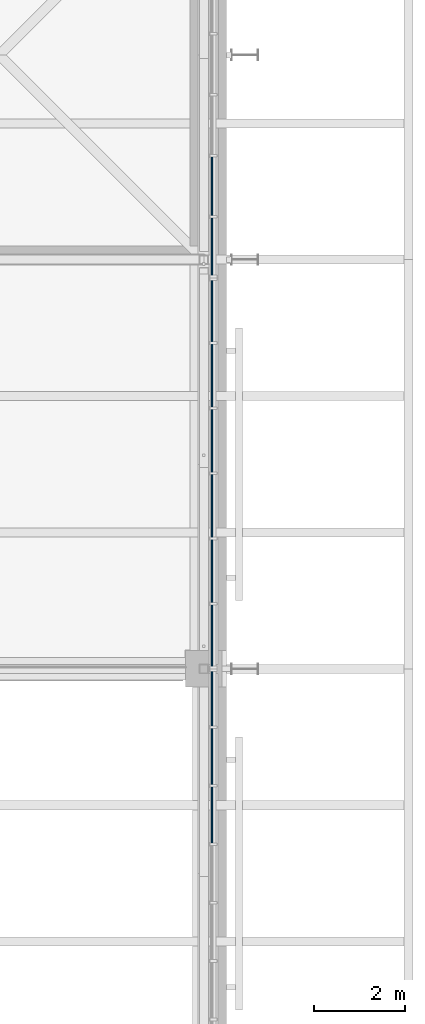
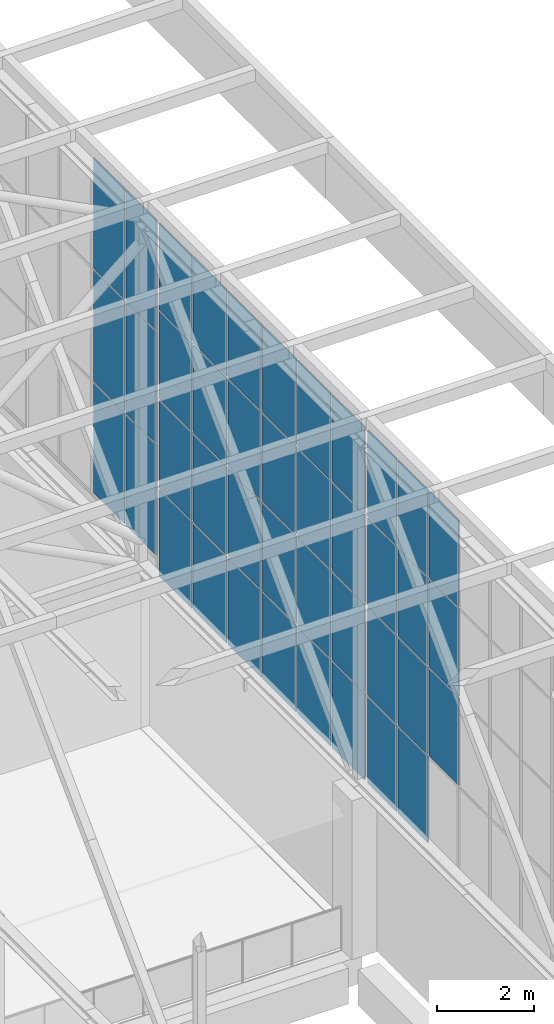
# One storey, part 158 of 646: 41 plates, 3 elements without a shape of their own.
"""IFC4 building model written with IfcOpenShell, lengths in metres."""

from ifc_helpers import new_model, si_unit, direction, frame, origin, origin_2d, place, context, subcontext, project, spatial, rectangle, extrude, material, layer, layer_set, type_object, element, aggregate, save


model = new_model("IFC4")

# Units and contexts
model_context = context("Model", 3, precision=1e-05, world=origin(), true_north=direction((0.0, 1.0)))
body_context = subcontext(model_context, "Body", "Model", "MODEL_VIEW")
ifc_project = project(units=[si_unit("LENGTHUNIT", "METRE"), si_unit("AREAUNIT", "SQUARE_METRE"), si_unit("VOLUMEUNIT", "CUBIC_METRE"), si_unit("PLANEANGLEUNIT", "RADIAN"), si_unit("MASSUNIT", "GRAM", prefix="KILO")], contexts=[model_context])

# Site, building, storey
site_placement = place(None, origin())
site = spatial("IfcSite", under=ifc_project, at=site_placement, CompositionType="ELEMENT")
building_placement = place(site_placement, origin())
building = spatial("IfcBuilding", under=site, at=building_placement, Name="Silverbay Arena", CompositionType="ELEMENT")
storey_placement = place(building_placement, frame((0.0, 0.0, 33.5)))
storey = spatial("IfcBuildingStorey", under=building, at=storey_placement, Name="L05", CompositionType="ELEMENT", Elevation=33.5)

# Curtain wall, plates
ifc_material_1 = material(Name="Aluminium framed glazing", Category="aluminium")
curtain_wall_type_1 = type_object("IfcCurtainWallType", Name="Curtain wall clerestory 9000 x 9000", PredefinedType="NOTDEFINED", material=ifc_material_1)
curtain_wall_1_placement = place(storey_placement, origin())
curtain_wall_1 = element("IfcCurtainWall", 1, at=curtain_wall_1_placement, inside=storey, type_object=curtain_wall_type_1, Name="ROOF GABLE CLERESTORY CURTAIN WALL east bay 13", PredefinedType="NOTDEFINED")
ifc_material_2 = material(Name="Laminated glass", Category="glass")
ifc_layer = layer(ifc_material_2, 0.028076171875)
ifc_layer_set = layer_set([ifc_layer], Name="Laminated glass")
plate_type = type_object("IfcPlateType", Name="Glass panel 28", PredefinedType="CURTAIN_PANEL", material=ifc_layer_set)
plate_1_placement = place(storey_placement, frame((207.179931640625, 122.78564453125, 6.27490234375), z_axis=(0.0, 0.0, 1.0), x_axis=(0.0, 1.0, 0.0)))
plate_1 = element("IfcPlate", 2, at=plate_1_placement, type_object=plate_type, Name="CW60 panel 5.2", PredefinedType="CURTAIN_PANEL", context=body_context, shape_type="SweptSolid", body=[
    extrude(rectangle(XDim=1.225830078125, YDim=0.028076171875, at=origin_2d()), origin(), (0.0, 0.0, 1.0), 2.199951171875),
])
plate_2_placement = place(storey_placement, frame((207.179931640625, 122.78564453125, 8.52490234375), z_axis=(0.0, 0.0, 1.0), x_axis=(0.0, 1.0, 0.0)))
plate_2 = element("IfcPlate", 3, at=plate_2_placement, type_object=plate_type, Name="CW60 panel 5.3", PredefinedType="CURTAIN_PANEL", context=body_context, shape_type="SweptSolid", body=[
    extrude(rectangle(XDim=1.225830078125, YDim=0.028076171875, at=origin_2d()), origin(), (0.0, 0.0, 1.0), 2.199951171875),
])
plate_3_placement = place(storey_placement, frame((207.179931640625, 122.78564453125, 10.77490234375), z_axis=(0.0, 0.0, 1.0), x_axis=(0.0, 1.0, 0.0)))
plate_3 = element("IfcPlate", 4, at=plate_3_placement, type_object=plate_type, Name="CW60 panel 5.4", PredefinedType="CURTAIN_PANEL", context=body_context, shape_type="SweptSolid", body=[
    extrude(rectangle(XDim=1.225830078125, YDim=0.028076171875, at=origin_2d()), origin(), (0.0, 0.0, 1.0), 2.175048828125),
])
plate_4_placement = place(storey_placement, frame((207.179931640625, 124.071533203125, 4.0498046875), z_axis=(0.0, 0.0, 1.0), x_axis=(0.0, 1.0, 0.0)))
plate_4 = element("IfcPlate", 5, at=plate_4_placement, type_object=plate_type, Name="CW60 panel 6.1", PredefinedType="CURTAIN_PANEL", context=body_context, shape_type="SweptSolid", body=[
    extrude(rectangle(XDim=1.225830078125, YDim=0.028076171875, at=origin_2d()), origin(), (0.0, 0.0, 1.0), 2.175048828125),
])
plate_5_placement = place(storey_placement, frame((207.179931640625, 124.071533203125, 6.27490234375), z_axis=(0.0, 0.0, 1.0), x_axis=(0.0, 1.0, 0.0)))
plate_5 = element("IfcPlate", 6, at=plate_5_placement, type_object=plate_type, Name="CW60 panel 6.2", PredefinedType="CURTAIN_PANEL", context=body_context, shape_type="SweptSolid", body=[
    extrude(rectangle(XDim=1.225830078125, YDim=0.028076171875, at=origin_2d()), origin(), (0.0, 0.0, 1.0), 2.199951171875),
])
plate_6_placement = place(storey_placement, frame((207.179931640625, 124.071533203125, 8.52490234375), z_axis=(0.0, 0.0, 1.0), x_axis=(0.0, 1.0, 0.0)))
plate_6 = element("IfcPlate", 7, at=plate_6_placement, type_object=plate_type, Name="CW60 panel 6.3", PredefinedType="CURTAIN_PANEL", context=body_context, shape_type="SweptSolid", body=[
    extrude(rectangle(XDim=1.225830078125, YDim=0.028076171875, at=origin_2d()), origin(), (0.0, 0.0, 1.0), 2.199951171875),
])
plate_7_placement = place(storey_placement, frame((207.179931640625, 124.071533203125, 10.77490234375), z_axis=(0.0, 0.0, 1.0), x_axis=(0.0, 1.0, 0.0)))
plate_7 = element("IfcPlate", 8, at=plate_7_placement, type_object=plate_type, Name="CW60 panel 6.4", PredefinedType="CURTAIN_PANEL", context=body_context, shape_type="SweptSolid", body=[
    extrude(rectangle(XDim=1.225830078125, YDim=0.028076171875, at=origin_2d()), origin(), (0.0, 0.0, 1.0), 2.175048828125),
])
plate_8_placement = place(storey_placement, frame((207.179931640625, 125.342041015625, 4.0498046875), z_axis=(0.0, 0.0, 1.0), x_axis=(0.0, 1.0, 0.0)))
plate_8 = element("IfcPlate", 9, at=plate_8_placement, type_object=plate_type, Name="CW60 panel 7.1", PredefinedType="CURTAIN_PANEL", context=body_context, shape_type="SweptSolid", body=[
    extrude(rectangle(XDim=1.19580078125, YDim=0.028076171875, at=origin_2d()), origin(), (0.0, 0.0, 1.0), 2.175048828125),
])
plate_9_placement = place(storey_placement, frame((207.179931640625, 125.342041015625, 6.27490234375), z_axis=(0.0, 0.0, 1.0), x_axis=(0.0, 1.0, 0.0)))
plate_9 = element("IfcPlate", 10, at=plate_9_placement, type_object=plate_type, Name="CW60 panel 7.2", PredefinedType="CURTAIN_PANEL", context=body_context, shape_type="SweptSolid", body=[
    extrude(rectangle(XDim=1.19580078125, YDim=0.028076171875, at=origin_2d()), origin(), (0.0, 0.0, 1.0), 2.199951171875),
])
plate_10_placement = place(storey_placement, frame((207.179931640625, 125.342041015625, 8.52490234375), z_axis=(0.0, 0.0, 1.0), x_axis=(0.0, 1.0, 0.0)))
plate_10 = element("IfcPlate", 11, at=plate_10_placement, type_object=plate_type, Name="CW60 panel 7.3", PredefinedType="CURTAIN_PANEL", context=body_context, shape_type="SweptSolid", body=[
    extrude(rectangle(XDim=1.19580078125, YDim=0.028076171875, at=origin_2d()), origin(), (0.0, 0.0, 1.0), 2.199951171875),
])
plate_11_placement = place(storey_placement, frame((207.179931640625, 125.342041015625, 10.77490234375), z_axis=(0.0, 0.0, 1.0), x_axis=(0.0, 1.0, 0.0)))
plate_11 = element("IfcPlate", 12, at=plate_11_placement, type_object=plate_type, Name="CW60 panel 7.4", PredefinedType="CURTAIN_PANEL", context=body_context, shape_type="SweptSolid", body=[
    extrude(rectangle(XDim=1.19580078125, YDim=0.028076171875, at=origin_2d()), origin(), (0.0, 0.0, 1.0), 2.175048828125),
])
aggregate(curtain_wall_1, [plate_1, plate_2, plate_3, plate_4, plate_5, plate_6, plate_7, plate_8, plate_9, plate_10, plate_11])

ifc_material_3 = material(Name="Aluminium framed glazing", Category="aluminium")
curtain_wall_type_2 = type_object("IfcCurtainWallType", Name="Curtain wall clerestory 8600 x 9000", PredefinedType="NOTDEFINED", material=ifc_material_3)
curtain_wall_2_placement = place(storey_placement, origin())
curtain_wall_2 = element("IfcCurtainWall", 13, at=curtain_wall_2_placement, inside=storey, type_object=curtain_wall_type_2, Name="ROOF GABLE CLERESTORY CURTAIN WALL east bay 14", PredefinedType="NOTDEFINED")
plate_12_placement = place(storey_placement, frame((207.179931640625, 126.731689453125, 4.0498046875), z_axis=(0.0, 0.0, 1.0), x_axis=(0.0, 1.0, 0.0)))
plate_12 = element("IfcPlate", 14, at=plate_12_placement, type_object=plate_type, Name="CW59 panel 1.1", PredefinedType="CURTAIN_PANEL", context=body_context, shape_type="SweptSolid", body=[
    extrude(rectangle(XDim=1.34326171875, YDim=0.028076171875, at=origin_2d()), origin(), (0.0, 0.0, 1.0), 2.175048828125),
])
plate_13_placement = place(storey_placement, frame((207.179931640625, 126.731689453125, 6.27490234375), z_axis=(0.0, 0.0, 1.0), x_axis=(0.0, 1.0, 0.0)))
plate_13 = element("IfcPlate", 15, at=plate_13_placement, type_object=plate_type, Name="CW59 panel 1.2", PredefinedType="CURTAIN_PANEL", context=body_context, shape_type="SweptSolid", body=[
    extrude(rectangle(XDim=1.34326171875, YDim=0.028076171875, at=origin_2d()), origin(), (0.0, 0.0, 1.0), 2.199951171875),
])
plate_14_placement = place(storey_placement, frame((207.179931640625, 126.731689453125, 8.52490234375), z_axis=(0.0, 0.0, 1.0), x_axis=(0.0, 1.0, 0.0)))
plate_14 = element("IfcPlate", 16, at=plate_14_placement, type_object=plate_type, Name="CW59 panel 1.3", PredefinedType="CURTAIN_PANEL", context=body_context, shape_type="SweptSolid", body=[
    extrude(rectangle(XDim=1.34326171875, YDim=0.028076171875, at=origin_2d()), origin(), (0.0, 0.0, 1.0), 2.199951171875),
])
plate_15_placement = place(storey_placement, frame((207.179931640625, 126.731689453125, 10.77490234375), z_axis=(0.0, 0.0, 1.0), x_axis=(0.0, 1.0, 0.0)))
plate_15 = element("IfcPlate", 17, at=plate_15_placement, type_object=plate_type, Name="CW59 panel 1.4", PredefinedType="CURTAIN_PANEL", context=body_context, shape_type="SweptSolid", body=[
    extrude(rectangle(XDim=1.34326171875, YDim=0.028076171875, at=origin_2d()), origin(), (0.0, 0.0, 1.0), 2.175048828125),
])
plate_16_placement = place(storey_placement, frame((207.179931640625, 128.14990234375, 4.0498046875), z_axis=(0.0, 0.0, 1.0), x_axis=(0.0, 1.0, 0.0)))
plate_16 = element("IfcPlate", 18, at=plate_16_placement, type_object=plate_type, Name="CW59 panel 2.1", PredefinedType="CURTAIN_PANEL", context=body_context, shape_type="SweptSolid", body=[
    extrude(rectangle(XDim=1.373291015625, YDim=0.028076171875, at=origin_2d()), origin(), (0.0, 0.0, 1.0), 2.175048828125),
])
plate_17_placement = place(storey_placement, frame((207.179931640625, 128.14990234375, 6.27490234375), z_axis=(0.0, 0.0, 1.0), x_axis=(0.0, 1.0, 0.0)))
plate_17 = element("IfcPlate", 19, at=plate_17_placement, type_object=plate_type, Name="CW59 panel 2.2", PredefinedType="CURTAIN_PANEL", context=body_context, shape_type="SweptSolid", body=[
    extrude(rectangle(XDim=1.373291015625, YDim=0.028076171875, at=origin_2d()), origin(), (0.0, 0.0, 1.0), 2.199951171875),
])
plate_18_placement = place(storey_placement, frame((207.179931640625, 128.14990234375, 8.52490234375), z_axis=(0.0, 0.0, 1.0), x_axis=(0.0, 1.0, 0.0)))
plate_18 = element("IfcPlate", 20, at=plate_18_placement, type_object=plate_type, Name="CW59 panel 2.3", PredefinedType="CURTAIN_PANEL", context=body_context, shape_type="SweptSolid", body=[
    extrude(rectangle(XDim=1.373291015625, YDim=0.028076171875, at=origin_2d()), origin(), (0.0, 0.0, 1.0), 2.199951171875),
])
plate_19_placement = place(storey_placement, frame((207.179931640625, 128.14990234375, 10.77490234375), z_axis=(0.0, 0.0, 1.0), x_axis=(0.0, 1.0, 0.0)))
plate_19 = element("IfcPlate", 21, at=plate_19_placement, type_object=plate_type, Name="CW59 panel 2.4", PredefinedType="CURTAIN_PANEL", context=body_context, shape_type="SweptSolid", body=[
    extrude(rectangle(XDim=1.373291015625, YDim=0.028076171875, at=origin_2d()), origin(), (0.0, 0.0, 1.0), 2.175048828125),
])
plate_20_placement = place(storey_placement, frame((207.179931640625, 129.583251953125, 4.0498046875), z_axis=(0.0, 0.0, 1.0), x_axis=(0.0, 1.0, 0.0)))
plate_20 = element("IfcPlate", 22, at=plate_20_placement, type_object=plate_type, Name="CW59 panel 3.1", PredefinedType="CURTAIN_PANEL", context=body_context, shape_type="SweptSolid", body=[
    extrude(rectangle(XDim=1.373291015625, YDim=0.028076171875, at=origin_2d()), origin(), (0.0, 0.0, 1.0), 2.175048828125),
])
plate_21_placement = place(storey_placement, frame((207.179931640625, 129.583251953125, 6.27490234375), z_axis=(0.0, 0.0, 1.0), x_axis=(0.0, 1.0, 0.0)))
plate_21 = element("IfcPlate", 23, at=plate_21_placement, type_object=plate_type, Name="CW59 panel 3.2", PredefinedType="CURTAIN_PANEL", context=body_context, shape_type="SweptSolid", body=[
    extrude(rectangle(XDim=1.373291015625, YDim=0.028076171875, at=origin_2d()), origin(), (0.0, 0.0, 1.0), 2.199951171875),
])
plate_22_placement = place(storey_placement, frame((207.179931640625, 129.583251953125, 8.52490234375), z_axis=(0.0, 0.0, 1.0), x_axis=(0.0, 1.0, 0.0)))
plate_22 = element("IfcPlate", 24, at=plate_22_placement, type_object=plate_type, Name="CW59 panel 3.3", PredefinedType="CURTAIN_PANEL", context=body_context, shape_type="SweptSolid", body=[
    extrude(rectangle(XDim=1.373291015625, YDim=0.028076171875, at=origin_2d()), origin(), (0.0, 0.0, 1.0), 2.199951171875),
])
plate_23_placement = place(storey_placement, frame((207.179931640625, 129.583251953125, 10.77490234375), z_axis=(0.0, 0.0, 1.0), x_axis=(0.0, 1.0, 0.0)))
plate_23 = element("IfcPlate", 25, at=plate_23_placement, type_object=plate_type, Name="CW59 panel 3.4", PredefinedType="CURTAIN_PANEL", context=body_context, shape_type="SweptSolid", body=[
    extrude(rectangle(XDim=1.373291015625, YDim=0.028076171875, at=origin_2d()), origin(), (0.0, 0.0, 1.0), 2.175048828125),
])
plate_24_placement = place(storey_placement, frame((207.179931640625, 131.0166015625, 4.0498046875), z_axis=(0.0, 0.0, 1.0), x_axis=(0.0, 1.0, 0.0)))
plate_24 = element("IfcPlate", 26, at=plate_24_placement, type_object=plate_type, Name="CW59 panel 4.1", PredefinedType="CURTAIN_PANEL", context=body_context, shape_type="SweptSolid", body=[
    extrude(rectangle(XDim=1.373291015625, YDim=0.028076171875, at=origin_2d()), origin(), (0.0, 0.0, 1.0), 2.175048828125),
])
plate_25_placement = place(storey_placement, frame((207.179931640625, 131.0166015625, 6.27490234375), z_axis=(0.0, 0.0, 1.0), x_axis=(0.0, 1.0, 0.0)))
plate_25 = element("IfcPlate", 27, at=plate_25_placement, type_object=plate_type, Name="CW59 panel 4.2", PredefinedType="CURTAIN_PANEL", context=body_context, shape_type="SweptSolid", body=[
    extrude(rectangle(XDim=1.373291015625, YDim=0.028076171875, at=origin_2d()), origin(), (0.0, 0.0, 1.0), 2.199951171875),
])
plate_26_placement = place(storey_placement, frame((207.179931640625, 131.0166015625, 8.52490234375), z_axis=(0.0, 0.0, 1.0), x_axis=(0.0, 1.0, 0.0)))
plate_26 = element("IfcPlate", 28, at=plate_26_placement, type_object=plate_type, Name="CW59 panel 4.3", PredefinedType="CURTAIN_PANEL", context=body_context, shape_type="SweptSolid", body=[
    extrude(rectangle(XDim=1.373291015625, YDim=0.028076171875, at=origin_2d()), origin(), (0.0, 0.0, 1.0), 2.199951171875),
])
plate_27_placement = place(storey_placement, frame((207.179931640625, 131.0166015625, 10.77490234375), z_axis=(0.0, 0.0, 1.0), x_axis=(0.0, 1.0, 0.0)))
plate_27 = element("IfcPlate", 29, at=plate_27_placement, type_object=plate_type, Name="CW59 panel 4.4", PredefinedType="CURTAIN_PANEL", context=body_context, shape_type="SweptSolid", body=[
    extrude(rectangle(XDim=1.373291015625, YDim=0.028076171875, at=origin_2d()), origin(), (0.0, 0.0, 1.0), 2.175048828125),
])
plate_28_placement = place(storey_placement, frame((207.179931640625, 132.449951171875, 4.0498046875), z_axis=(0.0, 0.0, 1.0), x_axis=(0.0, 1.0, 0.0)))
plate_28 = element("IfcPlate", 30, at=plate_28_placement, type_object=plate_type, Name="CW59 panel 5.1", PredefinedType="CURTAIN_PANEL", context=body_context, shape_type="SweptSolid", body=[
    extrude(rectangle(XDim=1.373291015625, YDim=0.028076171875, at=origin_2d()), origin(), (0.0, 0.0, 1.0), 2.175048828125),
])
plate_29_placement = place(storey_placement, frame((207.179931640625, 132.449951171875, 6.27490234375), z_axis=(0.0, 0.0, 1.0), x_axis=(0.0, 1.0, 0.0)))
plate_29 = element("IfcPlate", 31, at=plate_29_placement, type_object=plate_type, Name="CW59 panel 5.2", PredefinedType="CURTAIN_PANEL", context=body_context, shape_type="SweptSolid", body=[
    extrude(rectangle(XDim=1.373291015625, YDim=0.028076171875, at=origin_2d()), origin(), (0.0, 0.0, 1.0), 2.199951171875),
])
plate_30_placement = place(storey_placement, frame((207.179931640625, 132.449951171875, 8.52490234375), z_axis=(0.0, 0.0, 1.0), x_axis=(0.0, 1.0, 0.0)))
plate_30 = element("IfcPlate", 32, at=plate_30_placement, type_object=plate_type, Name="CW59 panel 5.3", PredefinedType="CURTAIN_PANEL", context=body_context, shape_type="SweptSolid", body=[
    extrude(rectangle(XDim=1.373291015625, YDim=0.028076171875, at=origin_2d()), origin(), (0.0, 0.0, 1.0), 2.199951171875),
])
plate_31_placement = place(storey_placement, frame((207.179931640625, 132.449951171875, 10.77490234375), z_axis=(0.0, 0.0, 1.0), x_axis=(0.0, 1.0, 0.0)))
plate_31 = element("IfcPlate", 33, at=plate_31_placement, type_object=plate_type, Name="CW59 panel 5.4", PredefinedType="CURTAIN_PANEL", context=body_context, shape_type="SweptSolid", body=[
    extrude(rectangle(XDim=1.373291015625, YDim=0.028076171875, at=origin_2d()), origin(), (0.0, 0.0, 1.0), 2.175048828125),
])
plate_32_placement = place(storey_placement, frame((207.179931640625, 133.868408203125, 4.0498046875), z_axis=(0.0, 0.0, 1.0), x_axis=(0.0, 1.0, 0.0)))
plate_32 = element("IfcPlate", 34, at=plate_32_placement, type_object=plate_type, Name="CW59 panel 6.1", PredefinedType="CURTAIN_PANEL", context=body_context, shape_type="SweptSolid", body=[
    extrude(rectangle(XDim=1.34326171875, YDim=0.028076171875, at=origin_2d()), origin(), (0.0, 0.0, 1.0), 2.175048828125),
])
plate_33_placement = place(storey_placement, frame((207.179931640625, 133.868408203125, 6.27490234375), z_axis=(0.0, 0.0, 1.0), x_axis=(0.0, 1.0, 0.0)))
plate_33 = element("IfcPlate", 35, at=plate_33_placement, type_object=plate_type, Name="CW59 panel 6.2", PredefinedType="CURTAIN_PANEL", context=body_context, shape_type="SweptSolid", body=[
    extrude(rectangle(XDim=1.34326171875, YDim=0.028076171875, at=origin_2d()), origin(), (0.0, 0.0, 1.0), 2.199951171875),
])
plate_34_placement = place(storey_placement, frame((207.179931640625, 133.868408203125, 8.52490234375), z_axis=(0.0, 0.0, 1.0), x_axis=(0.0, 1.0, 0.0)))
plate_34 = element("IfcPlate", 36, at=plate_34_placement, type_object=plate_type, Name="CW59 panel 6.3", PredefinedType="CURTAIN_PANEL", context=body_context, shape_type="SweptSolid", body=[
    extrude(rectangle(XDim=1.34326171875, YDim=0.028076171875, at=origin_2d()), origin(), (0.0, 0.0, 1.0), 2.199951171875),
])
plate_35_placement = place(storey_placement, frame((207.179931640625, 133.868408203125, 10.77490234375), z_axis=(0.0, 0.0, 1.0), x_axis=(0.0, 1.0, 0.0)))
plate_35 = element("IfcPlate", 37, at=plate_35_placement, type_object=plate_type, Name="CW59 panel 6.4", PredefinedType="CURTAIN_PANEL", context=body_context, shape_type="SweptSolid", body=[
    extrude(rectangle(XDim=1.34326171875, YDim=0.028076171875, at=origin_2d()), origin(), (0.0, 0.0, 1.0), 2.175048828125),
])
aggregate(curtain_wall_2, [plate_12, plate_13, plate_14, plate_15, plate_16, plate_17, plate_18, plate_19, plate_20, plate_21, plate_22, plate_23, plate_24, plate_25, plate_26, plate_27, plate_28, plate_29, plate_30, plate_31, plate_32, plate_33, plate_34, plate_35])

ifc_material_4 = material(Name="Aluminium framed glazing", Category="aluminium")
curtain_wall_type_3 = type_object("IfcCurtainWallType", Name="Curtain wall clerestory 9400 x 8547", PredefinedType="NOTDEFINED", material=ifc_material_4)
curtain_wall_3_placement = place(storey_placement, origin())
curtain_wall_3 = element("IfcCurtainWall", 38, at=curtain_wall_3_placement, inside=storey, type_object=curtain_wall_type_3, Name="ROOF GABLE CLERESTORY CURTAIN WALL east bay 15", PredefinedType="NOTDEFINED")
plate_36_placement = place(storey_placement, frame((207.179931640625, 135.286376953125, 4.50341796875), z_axis=(0.0, 0.0, 1.0), x_axis=(0.0, 1.0, 0.0)))
plate_36 = element("IfcPlate", 39, at=plate_36_placement, type_object=plate_type, Name="CW58 panel 1.1", PredefinedType="CURTAIN_PANEL", context=body_context, shape_type="SweptSolid", body=[
    extrude(rectangle(XDim=1.2529296875, YDim=0.028076171875, at=origin_2d()), origin(), (0.0, 0.0, 1.0), 2.77392578125),
])
plate_37_placement = place(storey_placement, frame((207.179931640625, 135.286376953125, 7.327392578125), z_axis=(0.0, 0.0, 1.0), x_axis=(0.0, 1.0, 0.0)))
plate_37 = element("IfcPlate", 40, at=plate_37_placement, type_object=plate_type, Name="CW58 panel 1.2", PredefinedType="CURTAIN_PANEL", context=body_context, shape_type="SweptSolid", body=[
    extrude(rectangle(XDim=1.2529296875, YDim=0.028076171875, at=origin_2d()), origin(), (0.0, 0.0, 1.0), 2.798828125),
])
plate_38_placement = place(storey_placement, frame((207.179931640625, 135.286376953125, 10.176025390625), z_axis=(0.0, 0.0, 1.0), x_axis=(0.0, 1.0, 0.0)))
plate_38 = element("IfcPlate", 41, at=plate_38_placement, type_object=plate_type, Name="CW58 panel 1.3", PredefinedType="CURTAIN_PANEL", context=body_context, shape_type="SweptSolid", body=[
    extrude(rectangle(XDim=1.2529296875, YDim=0.028076171875, at=origin_2d()), origin(), (0.0, 0.0, 1.0), 2.77392578125),
])
plate_39_placement = place(storey_placement, frame((207.179931640625, 136.6142578125, 4.50341796875), z_axis=(0.0, 0.0, 1.0), x_axis=(0.0, 1.0, 0.0)))
plate_39 = element("IfcPlate", 42, at=plate_39_placement, type_object=plate_type, Name="CW58 panel 2.1", PredefinedType="CURTAIN_PANEL", context=body_context, shape_type="SweptSolid", body=[
    extrude(rectangle(XDim=1.282958984375, YDim=0.028076171875, at=origin_2d()), origin(), (0.0, 0.0, 1.0), 2.77392578125),
])
plate_40_placement = place(storey_placement, frame((207.179931640625, 136.6142578125, 7.327392578125), z_axis=(0.0, 0.0, 1.0), x_axis=(0.0, 1.0, 0.0)))
plate_40 = element("IfcPlate", 43, at=plate_40_placement, type_object=plate_type, Name="CW58 panel 2.2", PredefinedType="CURTAIN_PANEL", context=body_context, shape_type="SweptSolid", body=[
    extrude(rectangle(XDim=1.282958984375, YDim=0.028076171875, at=origin_2d()), origin(), (0.0, 0.0, 1.0), 2.798828125),
])
plate_41_placement = place(storey_placement, frame((207.179931640625, 136.6142578125, 10.176025390625), z_axis=(0.0, 0.0, 1.0), x_axis=(0.0, 1.0, 0.0)))
plate_41 = element("IfcPlate", 44, at=plate_41_placement, type_object=plate_type, Name="CW58 panel 2.3", PredefinedType="CURTAIN_PANEL", context=body_context, shape_type="SweptSolid", body=[
    extrude(rectangle(XDim=1.282958984375, YDim=0.028076171875, at=origin_2d()), origin(), (0.0, 0.0, 1.0), 2.77392578125),
])
aggregate(curtain_wall_3, [plate_36, plate_37, plate_38, plate_39, plate_40, plate_41])

save(model, "model.ifc")
